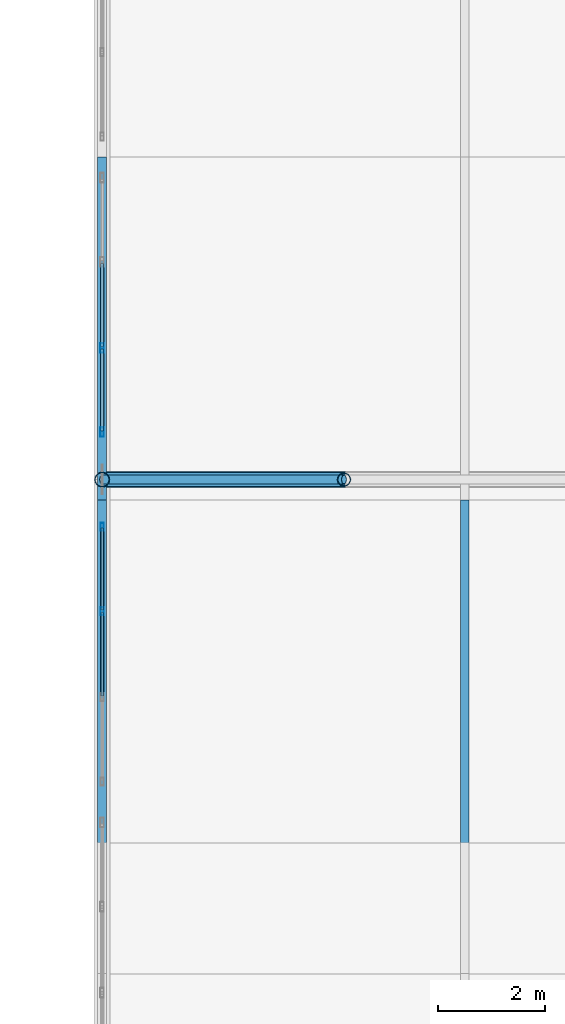
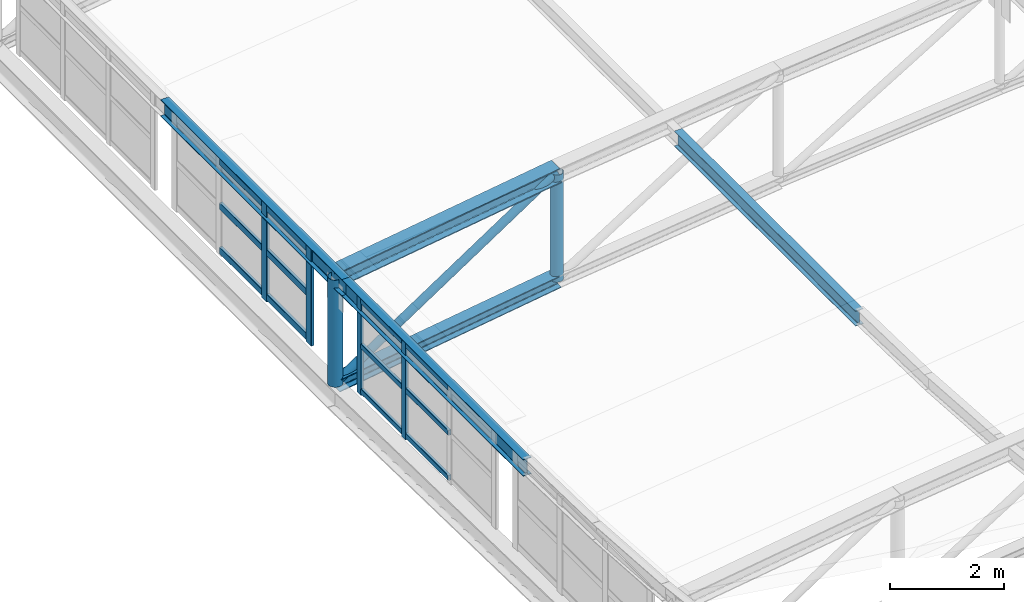
# One storey, part 85 of 262: 24 members, 2 elements without a shape of their own.
"""IFC4 building model written with IfcOpenShell, lengths in metres."""

from ifc_helpers import new_model, si_unit, derived_unit, direction, frame, origin, origin_2d, place, context, subcontext, project, spatial, hollow_rectangle, hollow_circle, i_section, extrude, material, layer, layer_set, material_profile, profile_set, type_object, element, aggregate, save


model = new_model("IFC4")

# Units and contexts
model_context = context("Model", 3, precision=1e-05, world=origin(), true_north=direction((0.0, 1.0)))
body_context = subcontext(model_context, "Body", "Model", "MODEL_VIEW")
ifc_project = project(units=[si_unit("LENGTHUNIT", "METRE"), si_unit("AREAUNIT", "SQUARE_METRE"), si_unit("VOLUMEUNIT", "CUBIC_METRE"), si_unit("PLANEANGLEUNIT", "RADIAN"), si_unit("MASSUNIT", "GRAM", prefix="KILO"), derived_unit("THERMALTRANSMITTANCEUNIT", [(si_unit("POWERUNIT", "WATT"), 1), (si_unit("LENGTHUNIT", "METRE"), -2), (si_unit("THERMODYNAMICTEMPERATUREUNIT", "KELVIN"), -1)])], contexts=[model_context])

# Site, building, storey
site_placement = place(None, origin())
site = spatial("IfcSite", under=ifc_project, at=site_placement, CompositionType="ELEMENT")
building_placement = place(site_placement, origin())
building = spatial("IfcBuilding", under=site, at=building_placement, Name="Almenara Railside Exhibition Hall", CompositionType="ELEMENT")
storey_placement = place(building_placement, frame((0.0, 0.0, 21.699951171875)))
storey = spatial("IfcBuildingStorey", under=building, at=storey_placement, Name="RF", CompositionType="ELEMENT", Elevation=21.699951171875)

# Members
ifc_material_1 = material(Name="Structural steel S355JR", Category="steel")
ifc_material_profile_1 = material_profile(ifc_material_1, i_section(OverallWidth=0.260009765625, OverallDepth=0.260009765625, WebThickness=0.010009765625, FlangeThickness=0.017578125, FilletRadius=0.02392578125, at=origin_2d()), Name="HEB 260")
ifc_profile_set_1 = profile_set([ifc_material_profile_1], Name="Structural steel S355JR")
member_type_1 = type_object("IfcMemberType", Name="Arched Truss Bottom Chord HEB 260 S355JR", PredefinedType="CHORD", material=ifc_profile_set_1)
member_1_placement = place(storey_placement, frame((12.0, 84.0, -2.39990234375), z_axis=(0.9890290442, 0.0, 0.147721189165), x_axis=(0.0, 1.0, 0.0)))
element("IfcMember", 1, at=member_1_placement, inside=storey, type_object=member_type_1, Name="MEM-BC-V1-03-00", PredefinedType="CHORD", context=body_context, shape_type="SweptSolid", body=[
    extrude(i_section(OverallWidth=0.260009765625, OverallDepth=0.260009765625, WebThickness=0.010009765625, FlangeThickness=0.017578125, FilletRadius=0.02392578125, at=origin_2d()), origin(), (0.0, 0.0, 1.0), 4.5498046875),
])
ifc_material_profile_2 = material_profile(ifc_material_1, i_section(OverallWidth=0.300048828125, OverallDepth=0.320068359375, WebThickness=0.011474609375, FlangeThickness=0.0205078125, FilletRadius=0.027099609375, at=origin_2d()), Name="HEB 320")
ifc_profile_set_2 = profile_set([ifc_material_profile_2], Name="Structural steel S355JR")
member_type_2 = type_object("IfcMemberType", Name="Arched Truss Top Chord HEB 320 S355JR", PredefinedType="CHORD", material=ifc_profile_set_2)
member_2_placement = place(storey_placement, frame((12.0, 84.0, -0.099853515625), z_axis=(0.9890290442, 0.0, 0.147721189165), x_axis=(0.0, 1.0, 0.0)))
element("IfcMember", 2, at=member_2_placement, inside=storey, type_object=member_type_2, Name="MEM-TC-V1-03-00", PredefinedType="CHORD", context=body_context, shape_type="SweptSolid", body=[
    extrude(i_section(OverallWidth=0.300048828125, OverallDepth=0.320068359375, WebThickness=0.011474609375, FlangeThickness=0.0205078125, FilletRadius=0.027099609375, at=origin_2d()), origin(), (0.0, 0.0, 1.0), 4.5498046875),
])

# Curtain wall, members
ifc_material_2 = material(Name="Bronze-anodised aluminium and low-E double glazing", Category="aluminium")
ifc_layer = layer(ifc_material_2, 0.179931640625, Name="Bronze-anodised aluminium and low-E double glazing")
ifc_layer_set = layer_set([ifc_layer], Name="Bronze-anodised aluminium and low-E double glazing")
curtain_wall_type = type_object("IfcCurtainWallType", Name="West Hall Clerestory Curtain Wall 4200x2400", PredefinedType="NOTDEFINED", material=ifc_layer_set)
curtain_wall_1_placement = place(storey_placement, origin())
curtain_wall_1 = element("IfcCurtainWall", 3, at=curtain_wall_1_placement, inside=storey, type_object=curtain_wall_type, Name="Curtain wall CW-CL1-177", PredefinedType="NOTDEFINED")
ifc_material_3 = material(Name="Bronze-anodised aluminium", Category="aluminium")
ifc_material_profile_3 = material_profile(ifc_material_3, hollow_rectangle(XDim=0.06005859375, YDim=0.14990234375, WallThickness=0.00341796875, InnerFilletRadius=0.00341796875, OuterFilletRadius=0.007080078125, at=origin_2d()), Name="ALU-MUL 60x150x3.5")
ifc_profile_set_3 = profile_set([ifc_material_profile_3], Name="Bronze-anodised aluminium")
member_type_3 = type_object("IfcMemberType", Name="Curtain Wall Mullion 60x150x3.5", PredefinedType="MULLION", material=ifc_profile_set_3)
member_3_placement = place(storey_placement, frame((12.0, 81.550048828125, -2.0849609375), z_axis=(0.0, 0.0, 1.0), x_axis=(-1.0, 0.0, 0.0)))
member_3 = element("IfcMember", 4, at=member_3_placement, type_object=member_type_3, Name="CW-CL1-177 mullion 3", PredefinedType="MULLION", context=body_context, shape_type="SweptSolid", body=[
    extrude(hollow_rectangle(XDim=0.06005859375, YDim=0.14990234375, WallThickness=0.00341796875, InnerFilletRadius=0.00341796875, OuterFilletRadius=0.007080078125, at=origin_2d()), origin(), (0.0, 0.0, 1.0), 2.0849609375),
])
member_4_placement = place(storey_placement, frame((12.0, 83.1201171875, -2.0849609375), z_axis=(0.0, 0.0, 1.0), x_axis=(-1.0, 0.0, 0.0)))
member_4 = element("IfcMember", 5, at=member_4_placement, type_object=member_type_3, Name="CW-CL1-177 mullion 4", PredefinedType="MULLION", context=body_context, shape_type="SweptSolid", body=[
    extrude(hollow_rectangle(XDim=0.06005859375, YDim=0.14990234375, WallThickness=0.00341796875, InnerFilletRadius=0.00341796875, OuterFilletRadius=0.007080078125, at=origin_2d()), origin(), (0.0, 0.0, 1.0), 2.0849609375),
])

curtain_wall_2_placement = place(storey_placement, origin())
curtain_wall_2 = element("IfcCurtainWall", 6, at=curtain_wall_2_placement, inside=storey, type_object=curtain_wall_type, Name="Curtain wall CW-CL1-180", PredefinedType="NOTDEFINED")
ifc_material_profile_4 = material_profile(ifc_material_3, hollow_rectangle(XDim=0.06494140625, YDim=0.179931640625, WallThickness=0.00390625, InnerFilletRadius=0.00390625, OuterFilletRadius=0.008056640625, at=origin_2d()), Name="ALU-MUL 65x180x4")
ifc_profile_set_4 = profile_set([ifc_material_profile_4], Name="Bronze-anodised aluminium")
member_type_4 = type_object("IfcMemberType", Name="Curtain Wall Mullion 65x180x4", PredefinedType="MULLION", material=ifc_profile_set_4)
member_5_placement = place(storey_placement, frame((12.0, 84.882568359375, -2.0849609375), z_axis=(0.0, 0.0, 1.0), x_axis=(-1.0, 0.0, 0.0)))
member_5 = element("IfcMember", 7, at=member_5_placement, type_object=member_type_4, Name="CW-CL1-180 mullion 1", PredefinedType="MULLION", context=body_context, shape_type="SweptSolid", body=[
    extrude(hollow_rectangle(XDim=0.06494140625, YDim=0.179931640625, WallThickness=0.00390625, InnerFilletRadius=0.00390625, OuterFilletRadius=0.008056640625, at=origin_2d()), origin(), (0.0, 0.0, 1.0), 2.0849609375),
])
member_6_placement = place(storey_placement, frame((12.0, 86.449951171875, -2.0849609375), z_axis=(0.0, 0.0, 1.0), x_axis=(-1.0, 0.0, 0.0)))
member_6 = element("IfcMember", 8, at=member_6_placement, type_object=member_type_4, Name="CW-CL1-180 mullion 2", PredefinedType="MULLION", context=body_context, shape_type="SweptSolid", body=[
    extrude(hollow_rectangle(XDim=0.06494140625, YDim=0.179931640625, WallThickness=0.00390625, InnerFilletRadius=0.00390625, OuterFilletRadius=0.008056640625, at=origin_2d()), origin(), (0.0, 0.0, 1.0), 2.0849609375),
])

# Member
ifc_material_profile_5 = material_profile(ifc_material_3, hollow_rectangle(XDim=0.06005859375, YDim=0.110107421875, WallThickness=0.0029296875, InnerFilletRadius=0.0029296875, OuterFilletRadius=0.006103515625, at=origin_2d()), Name="ALU-TRN 60x110x3")
ifc_profile_set_5 = profile_set([ifc_material_profile_5], Name="Bronze-anodised aluminium")
member_type_5 = type_object("IfcMemberType", Name="Curtain Wall Transom 60x110x3", PredefinedType="USERDEFINED", material=ifc_profile_set_5)
member_7_placement = place(storey_placement, frame((12.0, 79.971923828125, -1.994873046875), z_axis=(0.0, 1.0, 0.0), x_axis=(-1.0, 0.0, 0.0)))
member_7 = element("IfcMember", 9, at=member_7_placement, type_object=member_type_5, Name="CW-CL1-177 transom 2.1", ObjectType="TRANSOM", PredefinedType="USERDEFINED", context=body_context, shape_type="SweptSolid", body=[
    extrude(hollow_rectangle(XDim=0.06005859375, YDim=0.110107421875, WallThickness=0.0029296875, InnerFilletRadius=0.0029296875, OuterFilletRadius=0.006103515625, at=origin_2d()), origin(), (0.0, 0.0, 1.0), 1.55615234375),
])

member_8_placement = place(storey_placement, frame((12.0, 79.971923828125, -1.02490234375), z_axis=(0.0, 1.0, 0.0), x_axis=(-1.0, 0.0, 0.0)))
member_8 = element("IfcMember", 10, at=member_8_placement, type_object=member_type_5, Name="CW-CL1-177 transom 2.2", ObjectType="TRANSOM", PredefinedType="USERDEFINED", context=body_context, shape_type="SweptSolid", body=[
    extrude(hollow_rectangle(XDim=0.06005859375, YDim=0.110107421875, WallThickness=0.0029296875, InnerFilletRadius=0.0029296875, OuterFilletRadius=0.006103515625, at=origin_2d()), origin(), (0.0, 0.0, 1.0), 1.55615234375),
])

member_9_placement = place(storey_placement, frame((12.0, 79.971923828125, -0.054931640625), z_axis=(0.0, 1.0, 0.0), x_axis=(-1.0, 0.0, 0.0)))
member_9 = element("IfcMember", 11, at=member_9_placement, type_object=member_type_5, Name="CW-CL1-177 transom 2.3", ObjectType="TRANSOM", PredefinedType="USERDEFINED", context=body_context, shape_type="SweptSolid", body=[
    extrude(hollow_rectangle(XDim=0.06005859375, YDim=0.110107421875, WallThickness=0.0029296875, InnerFilletRadius=0.0029296875, OuterFilletRadius=0.006103515625, at=origin_2d()), origin(), (0.0, 0.0, 1.0), 1.55615234375),
])

member_10_placement = place(storey_placement, frame((12.0, 81.572021484375, -1.994873046875), z_axis=(0.0, 1.0, 0.0), x_axis=(-1.0, 0.0, 0.0)))
member_10 = element("IfcMember", 12, at=member_10_placement, type_object=member_type_5, Name="CW-CL1-177 transom 3.1", ObjectType="TRANSOM", PredefinedType="USERDEFINED", context=body_context, shape_type="SweptSolid", body=[
    extrude(hollow_rectangle(XDim=0.06005859375, YDim=0.110107421875, WallThickness=0.0029296875, InnerFilletRadius=0.0029296875, OuterFilletRadius=0.006103515625, at=origin_2d()), origin(), (0.0, 0.0, 1.0), 1.52587890625),
])

member_11_placement = place(storey_placement, frame((12.0, 81.572021484375, -1.02490234375), z_axis=(0.0, 1.0, 0.0), x_axis=(-1.0, 0.0, 0.0)))
member_11 = element("IfcMember", 13, at=member_11_placement, type_object=member_type_5, Name="CW-CL1-177 transom 3.2", ObjectType="TRANSOM", PredefinedType="USERDEFINED", context=body_context, shape_type="SweptSolid", body=[
    extrude(hollow_rectangle(XDim=0.06005859375, YDim=0.110107421875, WallThickness=0.0029296875, InnerFilletRadius=0.0029296875, OuterFilletRadius=0.006103515625, at=origin_2d()), origin(), (0.0, 0.0, 1.0), 1.52587890625),
])

member_12_placement = place(storey_placement, frame((12.0, 81.572021484375, -0.054931640625), z_axis=(0.0, 1.0, 0.0), x_axis=(-1.0, 0.0, 0.0)))
member_12 = element("IfcMember", 14, at=member_12_placement, type_object=member_type_5, Name="CW-CL1-177 transom 3.3", ObjectType="TRANSOM", PredefinedType="USERDEFINED", context=body_context, shape_type="SweptSolid", body=[
    extrude(hollow_rectangle(XDim=0.06005859375, YDim=0.110107421875, WallThickness=0.0029296875, InnerFilletRadius=0.0029296875, OuterFilletRadius=0.006103515625, at=origin_2d()), origin(), (0.0, 0.0, 1.0), 1.52587890625),
])

aggregate(curtain_wall_1, [member_3, member_4, member_7, member_8, member_9, member_10, member_11, member_12])

ifc_material_profile_6 = material_profile(ifc_material_3, hollow_rectangle(XDim=0.06494140625, YDim=0.139892578125, WallThickness=0.00341796875, InnerFilletRadius=0.00341796875, OuterFilletRadius=0.007080078125, at=origin_2d()), Name="ALU-TRN 65x140x3.5")
ifc_profile_set_6 = profile_set([ifc_material_profile_6], Name="Bronze-anodised aluminium")
member_type_6 = type_object("IfcMemberType", Name="Curtain Wall Transom 65x140x3.5", PredefinedType="USERDEFINED", material=ifc_profile_set_6)
member_13_placement = place(storey_placement, frame((12.0, 84.906982421875, -1.97998046875), z_axis=(0.0, 1.0, 0.0), x_axis=(-1.0, 0.0, 0.0)))
member_13 = element("IfcMember", 15, at=member_13_placement, type_object=member_type_6, Name="CW-CL1-180 transom 1.1", ObjectType="TRANSOM", PredefinedType="USERDEFINED", context=body_context, shape_type="SweptSolid", body=[
    extrude(hollow_rectangle(XDim=0.06494140625, YDim=0.139892578125, WallThickness=0.00341796875, InnerFilletRadius=0.00341796875, OuterFilletRadius=0.007080078125, at=origin_2d()), origin(), (0.0, 0.0, 1.0), 1.5185546875),
])

member_14_placement = place(storey_placement, frame((12.0, 84.906982421875, -1.02490234375), z_axis=(0.0, 1.0, 0.0), x_axis=(-1.0, 0.0, 0.0)))
member_14 = element("IfcMember", 16, at=member_14_placement, type_object=member_type_6, Name="CW-CL1-180 transom 1.2", ObjectType="TRANSOM", PredefinedType="USERDEFINED", context=body_context, shape_type="SweptSolid", body=[
    extrude(hollow_rectangle(XDim=0.06494140625, YDim=0.139892578125, WallThickness=0.00341796875, InnerFilletRadius=0.00341796875, OuterFilletRadius=0.007080078125, at=origin_2d()), origin(), (0.0, 0.0, 1.0), 1.5185546875),
])

member_15_placement = place(storey_placement, frame((12.0, 84.906982421875, -0.070068359375), z_axis=(0.0, 1.0, 0.0), x_axis=(-1.0, 0.0, 0.0)))
member_15 = element("IfcMember", 17, at=member_15_placement, type_object=member_type_6, Name="CW-CL1-180 transom 1.3", ObjectType="TRANSOM", PredefinedType="USERDEFINED", context=body_context, shape_type="SweptSolid", body=[
    extrude(hollow_rectangle(XDim=0.06494140625, YDim=0.139892578125, WallThickness=0.00341796875, InnerFilletRadius=0.00341796875, OuterFilletRadius=0.007080078125, at=origin_2d()), origin(), (0.0, 0.0, 1.0), 1.5185546875),
])

member_16_placement = place(storey_placement, frame((12.0, 86.474609375, -1.97998046875), z_axis=(0.0, 1.0, 0.0), x_axis=(-1.0, 0.0, 0.0)))
member_16 = element("IfcMember", 18, at=member_16_placement, type_object=member_type_6, Name="CW-CL1-180 transom 2.1", ObjectType="TRANSOM", PredefinedType="USERDEFINED", context=body_context, shape_type="SweptSolid", body=[
    extrude(hollow_rectangle(XDim=0.06494140625, YDim=0.139892578125, WallThickness=0.00341796875, InnerFilletRadius=0.00341796875, OuterFilletRadius=0.007080078125, at=origin_2d()), origin(), (0.0, 0.0, 1.0), 1.55078125),
])

member_17_placement = place(storey_placement, frame((12.0, 86.474609375, -1.02490234375), z_axis=(0.0, 1.0, 0.0), x_axis=(-1.0, 0.0, 0.0)))
member_17 = element("IfcMember", 19, at=member_17_placement, type_object=member_type_6, Name="CW-CL1-180 transom 2.2", ObjectType="TRANSOM", PredefinedType="USERDEFINED", context=body_context, shape_type="SweptSolid", body=[
    extrude(hollow_rectangle(XDim=0.06494140625, YDim=0.139892578125, WallThickness=0.00341796875, InnerFilletRadius=0.00341796875, OuterFilletRadius=0.007080078125, at=origin_2d()), origin(), (0.0, 0.0, 1.0), 1.55078125),
])

member_18_placement = place(storey_placement, frame((12.0, 86.474609375, -0.070068359375), z_axis=(0.0, 1.0, 0.0), x_axis=(-1.0, 0.0, 0.0)))
member_18 = element("IfcMember", 20, at=member_18_placement, type_object=member_type_6, Name="CW-CL1-180 transom 2.3", ObjectType="TRANSOM", PredefinedType="USERDEFINED", context=body_context, shape_type="SweptSolid", body=[
    extrude(hollow_rectangle(XDim=0.06494140625, YDim=0.139892578125, WallThickness=0.00341796875, InnerFilletRadius=0.00341796875, OuterFilletRadius=0.007080078125, at=origin_2d()), origin(), (0.0, 0.0, 1.0), 1.55078125),
])

aggregate(curtain_wall_2, [member_5, member_6, member_13, member_14, member_15, member_16, member_17, member_18])

# Members
ifc_material_profile_7 = material_profile(ifc_material_1, i_section(OverallWidth=0.159912109375, OverallDepth=0.330078125, WebThickness=0.007568359375, FlangeThickness=0.011474609375, FilletRadius=0.01806640625, at=origin_2d()), Name="IPE 330")
ifc_profile_set_7 = profile_set([ifc_material_profile_7], Name="Structural steel S355JR")
member_type_7 = type_object("IfcMemberType", Name="Gable Bay Purlin IPE 330 S355JR", PredefinedType="PURLIN", material=ifc_profile_set_7)
member_19_placement = place(storey_placement, frame((18.75, 77.240478515625, 0.743408203125), z_axis=(0.0, 1.0, 0.0), x_axis=(-1.0, 0.0, 0.0)))
element("IfcMember", 21, at=member_19_placement, inside=storey, type_object=member_type_7, Name="MEM-PR-V1-PR-IPE330-01-12", PredefinedType="PURLIN", context=body_context, shape_type="SweptSolid", body=[
    extrude(i_section(OverallWidth=0.159912109375, OverallDepth=0.330078125, WebThickness=0.007568359375, FlangeThickness=0.011474609375, FilletRadius=0.01806640625, at=origin_2d()), origin(), (0.0, 0.0, 1.0), 6.379638671875),
])
ifc_material_profile_8 = material_profile(ifc_material_1, i_section(OverallWidth=0.169921875, OverallDepth=0.360107421875, WebThickness=0.008056640625, FlangeThickness=0.0126953125, FilletRadius=0.01806640625, at=origin_2d()), Name="IPE 360")
ifc_profile_set_8 = profile_set([ifc_material_profile_8], Name="Structural steel S355JR")
member_type_8 = type_object("IfcMemberType", Name="Long-Span Scroll Purlin IPE 360 S355JR", PredefinedType="PURLIN", material=ifc_profile_set_8)
member_20_placement = place(storey_placement, frame((12.0, 77.240478515625, -0.100830078125), z_axis=(0.0, 1.0, 0.0), x_axis=(-1.0, 0.0, 0.0)))
element("IfcMember", 22, at=member_20_placement, inside=storey, type_object=member_type_8, Name="MEM-PR-V1-PR-IPE360-00-12", PredefinedType="PURLIN", context=body_context, shape_type="SweptSolid", body=[
    extrude(i_section(OverallWidth=0.169921875, OverallDepth=0.360107421875, WebThickness=0.008056640625, FlangeThickness=0.0126953125, FilletRadius=0.01806640625, at=origin_2d()), origin(), (0.0, 0.0, 1.0), 6.379638671875),
])
member_21_placement = place(storey_placement, frame((12.0, 83.6201171875, -0.100830078125), z_axis=(0.0, 1.0, 0.0), x_axis=(-1.0, 0.0, 0.0)))
element("IfcMember", 23, at=member_21_placement, inside=storey, type_object=member_type_8, Name="MEM-PR-V1-PR-IPE360-00-13", PredefinedType="PURLIN", context=body_context, shape_type="SweptSolid", body=[
    extrude(i_section(OverallWidth=0.169921875, OverallDepth=0.360107421875, WebThickness=0.008056640625, FlangeThickness=0.0126953125, FilletRadius=0.01806640625, at=origin_2d()), origin(), (0.0, 0.0, 1.0), 6.3798828125),
])
ifc_material_profile_9 = material_profile(ifc_material_1, hollow_circle(Radius=0.084228515625, WallThickness=0.006103515625, at=origin_2d()), Name="CHS 168.3x6")
ifc_profile_set_9 = profile_set([ifc_material_profile_9], Name="Structural steel S355JR")
member_type_9 = type_object("IfcMemberType", Name="Truss End Diagonal CHS 168.3x6 S355JR", PredefinedType="BRACE", material=ifc_profile_set_9)
member_22_placement = place(storey_placement, frame((12.0, 84.0, -2.39990234375), z_axis=(0.834424544227, 0.0, 0.551122200598), x_axis=(0.0, 1.0, 0.0)))
element("IfcMember", 24, at=member_22_placement, inside=storey, type_object=member_type_9, Name="MEM-TD-V1-03-00", PredefinedType="BRACE", context=body_context, shape_type="SweptSolid", body=[
    extrude(hollow_circle(Radius=0.084228515625, WallThickness=0.006103515625, at=origin_2d()), origin(), (0.0, 0.0, 1.0), 5.392822265625),
])
ifc_material_profile_10 = material_profile(ifc_material_1, hollow_circle(Radius=0.122314453125, WallThickness=0.008056640625, at=origin_2d()), Name="CHS 244.5x8")
ifc_profile_set_10 = profile_set([ifc_material_profile_10], Name="Structural steel S355JR")
member_type_10 = type_object("IfcMemberType", Name="Truss Haunch Vertical Strut CHS 244.5x8 S355JR", PredefinedType="BRACE", material=ifc_profile_set_10)
member_23_placement = place(storey_placement, frame((16.5, 84.0, -1.727783203125), z_axis=(0.0, 0.0, 1.0), x_axis=(1.0, 0.0, 0.0)))
element("IfcMember", 25, at=member_23_placement, inside=storey, type_object=member_type_10, Name="MEM-TV-V1-03-01", PredefinedType="BRACE", context=body_context, shape_type="SweptSolid", body=[
    extrude(hollow_circle(Radius=0.122314453125, WallThickness=0.008056640625, at=origin_2d()), origin(), (0.0, 0.0, 1.0), 2.300048828125),
])
ifc_material_profile_11 = material_profile(ifc_material_1, hollow_circle(Radius=0.136474609375, WallThickness=0.008056640625, at=origin_2d()), Name="CHS 273x8")
ifc_profile_set_11 = profile_set([ifc_material_profile_11], Name="Structural steel S355JR")
member_type_11 = type_object("IfcMemberType", Name="Truss Support Vertical Strut CHS 273x8 S355JR", PredefinedType="BRACE", material=ifc_profile_set_11)
member_24_placement = place(storey_placement, frame((12.0, 84.0, -2.39990234375), z_axis=(0.0, 0.0, 1.0), x_axis=(1.0, 0.0, 0.0)))
element("IfcMember", 26, at=member_24_placement, inside=storey, type_object=member_type_11, Name="MEM-TV-V1-03-00", PredefinedType="BRACE", context=body_context, shape_type="SweptSolid", body=[
    extrude(hollow_circle(Radius=0.136474609375, WallThickness=0.008056640625, at=origin_2d()), origin(), (0.0, 0.0, 1.0), 2.300048828125),
])

save(model, "model.ifc")
